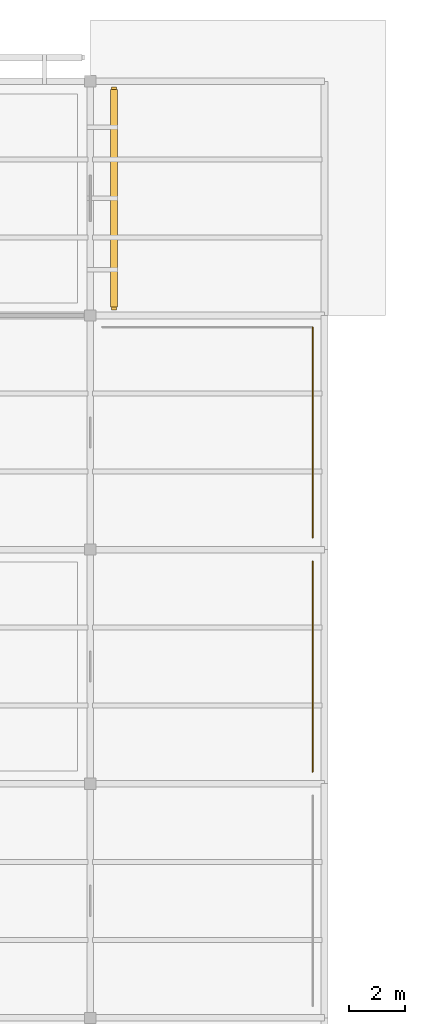
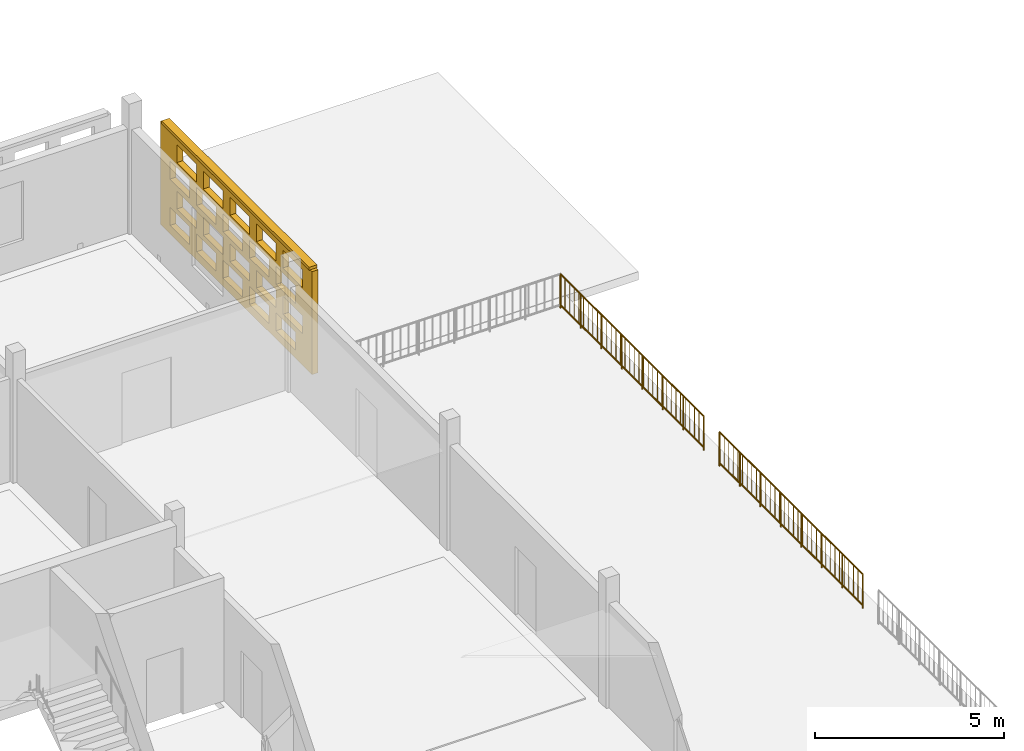
# One storey, part 31 of 31: 2 railings, 1 covering, 1 shading device, 20 openings.
"""IFC4 building model written with IfcOpenShell, lengths in metres."""

from ifc_helpers import new_model, si_unit, direction, frame, frame_2d, origin, origin_2d, place, context, subcontext, project, spatial, rectangle, circle, extrude, material, layer, layer_set, type_object, element, save


model = new_model("IFC4")

# Units and contexts
model_context = context("Model", 3, precision=1e-05, world=origin(), true_north=direction((0.0, 1.0)))
body_context = subcontext(model_context, "Body", "Model", "MODEL_VIEW")
ifc_project = project(units=[si_unit("LENGTHUNIT", "METRE"), si_unit("AREAUNIT", "SQUARE_METRE"), si_unit("VOLUMEUNIT", "CUBIC_METRE"), si_unit("PLANEANGLEUNIT", "RADIAN"), si_unit("MASSUNIT", "GRAM", prefix="KILO")], contexts=[model_context])

# Site, building, storey
site_placement = place(None, origin())
site = spatial("IfcSite", under=ifc_project, at=site_placement, CompositionType="ELEMENT")
building_placement = place(site_placement, origin())
building = spatial("IfcBuilding", under=site, at=building_placement, Name="Varnapada Polytechnic", CompositionType="ELEMENT")
storey_placement = place(building_placement, frame((0.0, 0.0, 22.199951171875)))
storey = spatial("IfcBuildingStorey", under=building, at=storey_placement, Name="L05", CompositionType="ELEMENT", Elevation=22.199951171875)

# Railings
ifc_material_1 = material(Name="Painted galvanized steel", Category="steel")
railing_type = type_object("IfcRailingType", Name="Terrace Guard Rail GRD-01", PredefinedType="BALUSTRADE", material=ifc_material_1)
railing_1_placement = place(storey_placement, frame((33.179931640625, 101.219970703125, 0.0)))
element("IfcRailing", 1, at=railing_1_placement, inside=storey, type_object=railing_type, Name="L05 terrace perimeter guard rail 7", PredefinedType="BALUSTRADE", context=body_context, shape_type="SweptSolid", body=[
    extrude(circle(Radius=0.02392578125, at=origin_2d()), frame((0.0, 0.0, 1.09619140625), z_axis=(0.0, 1.0, 0.0), x_axis=(-1.0, 0.0, 0.0)), (0.0, 0.0, 1.0), 7.56005859375),
    extrude(circle(Radius=0.02392578125, at=origin_2d()), frame((0.0, 0.0, 0.10009765625), z_axis=(0.0, 1.0, 0.0), x_axis=(-1.0, 0.0, 0.0)), (0.0, 0.0, 1.0), 7.56005859375),
    extrude(circle(Radius=0.02099609375, at=origin_2d()), origin(), (0.0, 0.0, 1.0), 1.072021484375),
    extrude(circle(Radius=0.02099609375, at=origin_2d()), frame((0.0, 1.080078125, 0.0)), (0.0, 0.0, 1.0), 1.072021484375),
    extrude(circle(Radius=0.02099609375, at=origin_2d()), frame((0.0, 2.159912109375, 0.0)), (0.0, 0.0, 1.0), 1.072021484375),
    extrude(circle(Radius=0.02099609375, at=origin_2d()), frame((0.0, 3.239990234375, 0.0)), (0.0, 0.0, 1.0), 1.072021484375),
    extrude(circle(Radius=0.02099609375, at=origin_2d()), frame((0.0, 4.320068359375, 0.0)), (0.0, 0.0, 1.0), 1.072021484375),
    extrude(circle(Radius=0.02099609375, at=origin_2d()), frame((0.0, 5.400146484375, 0.0)), (0.0, 0.0, 1.0), 1.072021484375),
    extrude(circle(Radius=0.02099609375, at=origin_2d()), frame((0.0, 6.47998046875, 0.0)), (0.0, 0.0, 1.0), 1.072021484375),
    extrude(circle(Radius=0.02099609375, at=origin_2d()), frame((0.0, 7.56005859375, 0.0)), (0.0, 0.0, 1.0), 1.072021484375),
    extrude(circle(Radius=0.010009765625, at=origin_2d()), frame((0.0, 0.243896484375, 0.10009765625)), (0.0, 0.0, 1.0), 0.971923828125),
    extrude(circle(Radius=0.010009765625, at=origin_2d()), frame((0.0, 0.48779296875, 0.10009765625)), (0.0, 0.0, 1.0), 0.971923828125),
    extrude(circle(Radius=0.010009765625, at=origin_2d()), frame((0.0, 0.731689453125, 0.10009765625)), (0.0, 0.0, 1.0), 0.971923828125),
    extrude(circle(Radius=0.010009765625, at=origin_2d()), frame((0.0, 0.9755859375, 0.10009765625)), (0.0, 0.0, 1.0), 0.971923828125),
    extrude(circle(Radius=0.010009765625, at=origin_2d()), frame((0.0, 1.219482421875, 0.10009765625)), (0.0, 0.0, 1.0), 0.971923828125),
    extrude(circle(Radius=0.010009765625, at=origin_2d()), frame((0.0, 1.463134765625, 0.10009765625)), (0.0, 0.0, 1.0), 0.971923828125),
    extrude(circle(Radius=0.010009765625, at=origin_2d()), frame((0.0, 1.70703125, 0.10009765625)), (0.0, 0.0, 1.0), 0.971923828125),
    extrude(circle(Radius=0.010009765625, at=origin_2d()), frame((0.0, 1.950927734375, 0.10009765625)), (0.0, 0.0, 1.0), 0.971923828125),
    extrude(circle(Radius=0.010009765625, at=origin_2d()), frame((0.0, 2.19482421875, 0.10009765625)), (0.0, 0.0, 1.0), 0.971923828125),
    extrude(circle(Radius=0.010009765625, at=origin_2d()), frame((0.0, 2.438720703125, 0.10009765625)), (0.0, 0.0, 1.0), 0.971923828125),
    extrude(circle(Radius=0.010009765625, at=origin_2d()), frame((0.0, 2.6826171875, 0.10009765625)), (0.0, 0.0, 1.0), 0.971923828125),
    extrude(circle(Radius=0.010009765625, at=origin_2d()), frame((0.0, 2.926513671875, 0.10009765625)), (0.0, 0.0, 1.0), 0.971923828125),
    extrude(circle(Radius=0.010009765625, at=origin_2d()), frame((0.0, 3.17041015625, 0.10009765625)), (0.0, 0.0, 1.0), 0.971923828125),
    extrude(circle(Radius=0.010009765625, at=origin_2d()), frame((0.0, 3.414306640625, 0.10009765625)), (0.0, 0.0, 1.0), 0.971923828125),
    extrude(circle(Radius=0.010009765625, at=origin_2d()), frame((0.0, 3.658203125, 0.10009765625)), (0.0, 0.0, 1.0), 0.971923828125),
    extrude(circle(Radius=0.010009765625, at=origin_2d()), frame((0.0, 3.90185546875, 0.10009765625)), (0.0, 0.0, 1.0), 0.971923828125),
    extrude(circle(Radius=0.010009765625, at=origin_2d()), frame((0.0, 4.145751953125, 0.10009765625)), (0.0, 0.0, 1.0), 0.971923828125),
    extrude(circle(Radius=0.010009765625, at=origin_2d()), frame((0.0, 4.3896484375, 0.10009765625)), (0.0, 0.0, 1.0), 0.971923828125),
    extrude(circle(Radius=0.010009765625, at=origin_2d()), frame((0.0, 4.633544921875, 0.10009765625)), (0.0, 0.0, 1.0), 0.971923828125),
    extrude(circle(Radius=0.010009765625, at=origin_2d()), frame((0.0, 4.87744140625, 0.10009765625)), (0.0, 0.0, 1.0), 0.971923828125),
    extrude(circle(Radius=0.010009765625, at=origin_2d()), frame((0.0, 5.121337890625, 0.10009765625)), (0.0, 0.0, 1.0), 0.971923828125),
    extrude(circle(Radius=0.010009765625, at=origin_2d()), frame((0.0, 5.365234375, 0.10009765625)), (0.0, 0.0, 1.0), 0.971923828125),
    extrude(circle(Radius=0.010009765625, at=origin_2d()), frame((0.0, 5.609130859375, 0.10009765625)), (0.0, 0.0, 1.0), 0.971923828125),
    extrude(circle(Radius=0.010009765625, at=origin_2d()), frame((0.0, 5.85302734375, 0.10009765625)), (0.0, 0.0, 1.0), 0.971923828125),
    extrude(circle(Radius=0.010009765625, at=origin_2d()), frame((0.0, 6.096923828125, 0.10009765625)), (0.0, 0.0, 1.0), 0.971923828125),
    extrude(circle(Radius=0.010009765625, at=origin_2d()), frame((0.0, 6.340576171875, 0.10009765625)), (0.0, 0.0, 1.0), 0.971923828125),
    extrude(circle(Radius=0.010009765625, at=origin_2d()), frame((0.0, 6.58447265625, 0.10009765625)), (0.0, 0.0, 1.0), 0.971923828125),
    extrude(circle(Radius=0.010009765625, at=origin_2d()), frame((0.0, 6.828369140625, 0.10009765625)), (0.0, 0.0, 1.0), 0.971923828125),
    extrude(circle(Radius=0.010009765625, at=origin_2d()), frame((0.0, 7.072265625, 0.10009765625)), (0.0, 0.0, 1.0), 0.971923828125),
    extrude(circle(Radius=0.010009765625, at=origin_2d()), frame((0.0, 7.316162109375, 0.10009765625)), (0.0, 0.0, 1.0), 0.971923828125),
])
railing_2_placement = place(storey_placement, frame((33.179931640625, 109.6201171875, 0.0)))
element("IfcRailing", 2, at=railing_2_placement, inside=storey, type_object=railing_type, Name="L05 terrace perimeter guard rail 9", PredefinedType="BALUSTRADE", context=body_context, shape_type="SweptSolid", body=[
    extrude(circle(Radius=0.02392578125, at=origin_2d()), frame((0.0, 0.0, 1.09619140625), z_axis=(0.0, 1.0, 0.0), x_axis=(-1.0, 0.0, 0.0)), (0.0, 0.0, 1.0), 7.559814453125),
    extrude(circle(Radius=0.02392578125, at=origin_2d()), frame((0.0, 0.0, 0.10009765625), z_axis=(0.0, 1.0, 0.0), x_axis=(-1.0, 0.0, 0.0)), (0.0, 0.0, 1.0), 7.559814453125),
    extrude(circle(Radius=0.02099609375, at=origin_2d()), origin(), (0.0, 0.0, 1.0), 1.072021484375),
    extrude(circle(Radius=0.02099609375, at=origin_2d()), frame((0.0, 1.080078125, 0.0)), (0.0, 0.0, 1.0), 1.072021484375),
    extrude(circle(Radius=0.02099609375, at=origin_2d()), frame((0.0, 2.159912109375, 0.0)), (0.0, 0.0, 1.0), 1.072021484375),
    extrude(circle(Radius=0.02099609375, at=origin_2d()), frame((0.0, 3.239990234375, 0.0)), (0.0, 0.0, 1.0), 1.072021484375),
    extrude(circle(Radius=0.02099609375, at=origin_2d()), frame((0.0, 4.31982421875, 0.0)), (0.0, 0.0, 1.0), 1.072021484375),
    extrude(circle(Radius=0.02099609375, at=origin_2d()), frame((0.0, 5.39990234375, 0.0)), (0.0, 0.0, 1.0), 1.072021484375),
    extrude(circle(Radius=0.02099609375, at=origin_2d()), frame((0.0, 6.479736328125, 0.0)), (0.0, 0.0, 1.0), 1.072021484375),
    extrude(circle(Radius=0.02099609375, at=origin_2d()), frame((0.0, 7.559814453125, 0.0)), (0.0, 0.0, 1.0), 1.072021484375),
    extrude(circle(Radius=0.010009765625, at=origin_2d()), frame((0.0, 0.243896484375, 0.10009765625)), (0.0, 0.0, 1.0), 0.971923828125),
    extrude(circle(Radius=0.010009765625, at=origin_2d()), frame((0.0, 0.48779296875, 0.10009765625)), (0.0, 0.0, 1.0), 0.971923828125),
    extrude(circle(Radius=0.010009765625, at=origin_2d()), frame((0.0, 0.731689453125, 0.10009765625)), (0.0, 0.0, 1.0), 0.971923828125),
    extrude(circle(Radius=0.010009765625, at=origin_2d()), frame((0.0, 0.975341796875, 0.10009765625)), (0.0, 0.0, 1.0), 0.971923828125),
    extrude(circle(Radius=0.010009765625, at=origin_2d()), frame((0.0, 1.21923828125, 0.10009765625)), (0.0, 0.0, 1.0), 0.971923828125),
    extrude(circle(Radius=0.010009765625, at=origin_2d()), frame((0.0, 1.463134765625, 0.10009765625)), (0.0, 0.0, 1.0), 0.971923828125),
    extrude(circle(Radius=0.010009765625, at=origin_2d()), frame((0.0, 1.70703125, 0.10009765625)), (0.0, 0.0, 1.0), 0.971923828125),
    extrude(circle(Radius=0.010009765625, at=origin_2d()), frame((0.0, 1.950927734375, 0.10009765625)), (0.0, 0.0, 1.0), 0.971923828125),
    extrude(circle(Radius=0.010009765625, at=origin_2d()), frame((0.0, 2.19482421875, 0.10009765625)), (0.0, 0.0, 1.0), 0.971923828125),
    extrude(circle(Radius=0.010009765625, at=origin_2d()), frame((0.0, 2.438720703125, 0.10009765625)), (0.0, 0.0, 1.0), 0.971923828125),
    extrude(circle(Radius=0.010009765625, at=origin_2d()), frame((0.0, 2.6826171875, 0.10009765625)), (0.0, 0.0, 1.0), 0.971923828125),
    extrude(circle(Radius=0.010009765625, at=origin_2d()), frame((0.0, 2.92626953125, 0.10009765625)), (0.0, 0.0, 1.0), 0.971923828125),
    extrude(circle(Radius=0.010009765625, at=origin_2d()), frame((0.0, 3.170166015625, 0.10009765625)), (0.0, 0.0, 1.0), 0.971923828125),
    extrude(circle(Radius=0.010009765625, at=origin_2d()), frame((0.0, 3.4140625, 0.10009765625)), (0.0, 0.0, 1.0), 0.971923828125),
    extrude(circle(Radius=0.010009765625, at=origin_2d()), frame((0.0, 3.657958984375, 0.10009765625)), (0.0, 0.0, 1.0), 0.971923828125),
    extrude(circle(Radius=0.010009765625, at=origin_2d()), frame((0.0, 3.90185546875, 0.10009765625)), (0.0, 0.0, 1.0), 0.971923828125),
    extrude(circle(Radius=0.010009765625, at=origin_2d()), frame((0.0, 4.145751953125, 0.10009765625)), (0.0, 0.0, 1.0), 0.971923828125),
    extrude(circle(Radius=0.010009765625, at=origin_2d()), frame((0.0, 4.3896484375, 0.10009765625)), (0.0, 0.0, 1.0), 0.971923828125),
    extrude(circle(Radius=0.010009765625, at=origin_2d()), frame((0.0, 4.633544921875, 0.10009765625)), (0.0, 0.0, 1.0), 0.971923828125),
    extrude(circle(Radius=0.010009765625, at=origin_2d()), frame((0.0, 4.877197265625, 0.10009765625)), (0.0, 0.0, 1.0), 0.971923828125),
    extrude(circle(Radius=0.010009765625, at=origin_2d()), frame((0.0, 5.12109375, 0.10009765625)), (0.0, 0.0, 1.0), 0.971923828125),
    extrude(circle(Radius=0.010009765625, at=origin_2d()), frame((0.0, 5.364990234375, 0.10009765625)), (0.0, 0.0, 1.0), 0.971923828125),
    extrude(circle(Radius=0.010009765625, at=origin_2d()), frame((0.0, 5.60888671875, 0.10009765625)), (0.0, 0.0, 1.0), 0.971923828125),
    extrude(circle(Radius=0.010009765625, at=origin_2d()), frame((0.0, 5.852783203125, 0.10009765625)), (0.0, 0.0, 1.0), 0.971923828125),
    extrude(circle(Radius=0.010009765625, at=origin_2d()), frame((0.0, 6.0966796875, 0.10009765625)), (0.0, 0.0, 1.0), 0.971923828125),
    extrude(circle(Radius=0.010009765625, at=origin_2d()), frame((0.0, 6.340576171875, 0.10009765625)), (0.0, 0.0, 1.0), 0.971923828125),
    extrude(circle(Radius=0.010009765625, at=origin_2d()), frame((0.0, 6.58447265625, 0.10009765625)), (0.0, 0.0, 1.0), 0.971923828125),
    extrude(circle(Radius=0.010009765625, at=origin_2d()), frame((0.0, 6.828125, 0.10009765625)), (0.0, 0.0, 1.0), 0.971923828125),
    extrude(circle(Radius=0.010009765625, at=origin_2d()), frame((0.0, 7.072021484375, 0.10009765625)), (0.0, 0.0, 1.0), 0.971923828125),
    extrude(circle(Radius=0.010009765625, at=origin_2d()), frame((0.0, 7.31591796875, 0.10009765625)), (0.0, 0.0, 1.0), 0.971923828125),
])

# Covering, openings
ifc_material_2 = material(Name="Earth-toned architectural terracotta screen block", Category="masonry")
ifc_layer_1 = layer(ifc_material_2, 0.1201171875)
ifc_layer_set_1 = layer_set([ifc_layer_1], Name="Earth-toned architectural terracotta screen block")
covering_type = type_object("IfcCoveringType", Name="Terracotta Screen Cladding CLD-01", PredefinedType="CLADDING", material=ifc_layer_set_1)
covering_placement = place(storey_placement, frame((26.050048828125, 125.800048828125, 0.0), z_axis=(0.0, 0.0, 1.0), x_axis=(0.0, -1.0, 0.0)))
covering = element("IfcCovering", 3, at=covering_placement, inside=storey, type_object=covering_type, Name="L05 perforated terracotta block screen (24)", PredefinedType="CLADDING", context=body_context, shape_type="SweptSolid", body=[
    extrude(rectangle(XDim=8.0, YDim=0.179931640625, at=frame_2d((4.0, 0.0))), origin(), (0.0, 0.0, 1.0), 3.320068359375),
])
opening_1_placement = place(covering_placement, frame((0.5, 0.0, 0.265625)))
element("IfcOpeningElement", 4, at=opening_1_placement, cuts=covering, Name="Screen perforation TBS-L05-023.1", PredefinedType="OPENING", context=body_context, shape_type="SweptSolid", body=[
    extrude(rectangle(XDim=1.0400390625, YDim=0.5810546875, at=frame_2d((0.52001953125, 0.29052734375))), frame((0.0, 0.099853515625, 0.0), z_axis=(0.0, -1.0, 0.0), x_axis=(1.0, 0.0, 0.0)), (0.0, 0.0, 1.0), 0.199951171875),
])
opening_2_placement = place(covering_placement, frame((1.89990234375, 0.0, 0.265625)))
element("IfcOpeningElement", 5, at=opening_2_placement, cuts=covering, Name="Screen perforation TBS-L05-023.2", PredefinedType="OPENING", context=body_context, shape_type="SweptSolid", body=[
    extrude(rectangle(XDim=1.0400390625, YDim=0.5810546875, at=frame_2d((0.52001953125, 0.29052734375))), frame((0.0, 0.099853515625, 0.0), z_axis=(0.0, -1.0, 0.0), x_axis=(1.0, 0.0, 0.0)), (0.0, 0.0, 1.0), 0.199951171875),
])
opening_3_placement = place(covering_placement, frame((3.300048828125, 0.0, 0.265625)))
element("IfcOpeningElement", 6, at=opening_3_placement, cuts=covering, Name="Screen perforation TBS-L05-023.3", PredefinedType="OPENING", context=body_context, shape_type="SweptSolid", body=[
    extrude(rectangle(XDim=1.0400390625, YDim=0.5810546875, at=frame_2d((0.52001953125, 0.29052734375))), frame((0.0, 0.099853515625, 0.0), z_axis=(0.0, -1.0, 0.0), x_axis=(1.0, 0.0, 0.0)), (0.0, 0.0, 1.0), 0.199951171875),
])
opening_4_placement = place(covering_placement, frame((4.699951171875, 0.0, 0.265625)))
element("IfcOpeningElement", 7, at=opening_4_placement, cuts=covering, Name="Screen perforation TBS-L05-023.4", PredefinedType="OPENING", context=body_context, shape_type="SweptSolid", body=[
    extrude(rectangle(XDim=1.0400390625, YDim=0.5810546875, at=frame_2d((0.52001953125, 0.29052734375))), frame((0.0, 0.099853515625, 0.0), z_axis=(0.0, -1.0, 0.0), x_axis=(1.0, 0.0, 0.0)), (0.0, 0.0, 1.0), 0.199951171875),
])
opening_5_placement = place(covering_placement, frame((6.10009765625, 0.0, 0.265625)))
element("IfcOpeningElement", 8, at=opening_5_placement, cuts=covering, Name="Screen perforation TBS-L05-023.5", PredefinedType="OPENING", context=body_context, shape_type="SweptSolid", body=[
    extrude(rectangle(XDim=1.0400390625, YDim=0.5810546875, at=frame_2d((0.52001953125, 0.29052734375))), frame((0.0, 0.099853515625, 0.0), z_axis=(0.0, -1.0, 0.0), x_axis=(1.0, 0.0, 0.0)), (0.0, 0.0, 1.0), 0.199951171875),
])
opening_6_placement = place(covering_placement, frame((0.860107421875, 0.0, 1.0126953125)))
element("IfcOpeningElement", 9, at=opening_6_placement, cuts=covering, Name="Screen perforation TBS-L05-023.6", PredefinedType="OPENING", context=body_context, shape_type="SweptSolid", body=[
    extrude(rectangle(XDim=1.0400390625, YDim=0.5810546875, at=frame_2d((0.52001953125, 0.29052734375))), frame((0.0, 0.099853515625, 0.0), z_axis=(0.0, -1.0, 0.0), x_axis=(1.0, 0.0, 0.0)), (0.0, 0.0, 1.0), 0.199951171875),
])
opening_7_placement = place(covering_placement, frame((2.260009765625, 0.0, 1.0126953125)))
element("IfcOpeningElement", 10, at=opening_7_placement, cuts=covering, Name="Screen perforation TBS-L05-023.7", PredefinedType="OPENING", context=body_context, shape_type="SweptSolid", body=[
    extrude(rectangle(XDim=1.0400390625, YDim=0.5810546875, at=frame_2d((0.52001953125, 0.29052734375))), frame((0.0, 0.099853515625, 0.0), z_axis=(0.0, -1.0, 0.0), x_axis=(1.0, 0.0, 0.0)), (0.0, 0.0, 1.0), 0.199951171875),
])
opening_8_placement = place(covering_placement, frame((3.659912109375, 0.0, 1.0126953125)))
element("IfcOpeningElement", 11, at=opening_8_placement, cuts=covering, Name="Screen perforation TBS-L05-023.8", PredefinedType="OPENING", context=body_context, shape_type="SweptSolid", body=[
    extrude(rectangle(XDim=1.0400390625, YDim=0.5810546875, at=frame_2d((0.52001953125, 0.29052734375))), frame((0.0, 0.099853515625, 0.0), z_axis=(0.0, -1.0, 0.0), x_axis=(1.0, 0.0, 0.0)), (0.0, 0.0, 1.0), 0.199951171875),
])
opening_9_placement = place(covering_placement, frame((5.06005859375, 0.0, 1.0126953125)))
element("IfcOpeningElement", 12, at=opening_9_placement, cuts=covering, Name="Screen perforation TBS-L05-023.9", PredefinedType="OPENING", context=body_context, shape_type="SweptSolid", body=[
    extrude(rectangle(XDim=1.0400390625, YDim=0.5810546875, at=frame_2d((0.52001953125, 0.29052734375))), frame((0.0, 0.099853515625, 0.0), z_axis=(0.0, -1.0, 0.0), x_axis=(1.0, 0.0, 0.0)), (0.0, 0.0, 1.0), 0.199951171875),
])
opening_10_placement = place(covering_placement, frame((6.4599609375, 0.0, 1.0126953125)))
element("IfcOpeningElement", 13, at=opening_10_placement, cuts=covering, Name="Screen perforation TBS-L05-023.10", PredefinedType="OPENING", context=body_context, shape_type="SweptSolid", body=[
    extrude(rectangle(XDim=1.0400390625, YDim=0.5810546875, at=frame_2d((0.52001953125, 0.29052734375))), frame((0.0, 0.099853515625, 0.0), z_axis=(0.0, -1.0, 0.0), x_axis=(1.0, 0.0, 0.0)), (0.0, 0.0, 1.0), 0.199951171875),
])
opening_11_placement = place(covering_placement, frame((0.5, 0.0, 1.759521484375)))
element("IfcOpeningElement", 14, at=opening_11_placement, cuts=covering, Name="Screen perforation TBS-L05-023.11", PredefinedType="OPENING", context=body_context, shape_type="SweptSolid", body=[
    extrude(rectangle(XDim=1.0400390625, YDim=0.5810546875, at=frame_2d((0.52001953125, 0.29052734375))), frame((0.0, 0.099853515625, 0.0), z_axis=(0.0, -1.0, 0.0), x_axis=(1.0, 0.0, 0.0)), (0.0, 0.0, 1.0), 0.199951171875),
])
opening_12_placement = place(covering_placement, frame((1.89990234375, 0.0, 1.759521484375)))
element("IfcOpeningElement", 15, at=opening_12_placement, cuts=covering, Name="Screen perforation TBS-L05-023.12", PredefinedType="OPENING", context=body_context, shape_type="SweptSolid", body=[
    extrude(rectangle(XDim=1.0400390625, YDim=0.5810546875, at=frame_2d((0.52001953125, 0.29052734375))), frame((0.0, 0.099853515625, 0.0), z_axis=(0.0, -1.0, 0.0), x_axis=(1.0, 0.0, 0.0)), (0.0, 0.0, 1.0), 0.199951171875),
])
opening_13_placement = place(covering_placement, frame((3.300048828125, 0.0, 1.759521484375)))
element("IfcOpeningElement", 16, at=opening_13_placement, cuts=covering, Name="Screen perforation TBS-L05-023.13", PredefinedType="OPENING", context=body_context, shape_type="SweptSolid", body=[
    extrude(rectangle(XDim=1.0400390625, YDim=0.5810546875, at=frame_2d((0.52001953125, 0.29052734375))), frame((0.0, 0.099853515625, 0.0), z_axis=(0.0, -1.0, 0.0), x_axis=(1.0, 0.0, 0.0)), (0.0, 0.0, 1.0), 0.199951171875),
])
opening_14_placement = place(covering_placement, frame((4.699951171875, 0.0, 1.759521484375)))
element("IfcOpeningElement", 17, at=opening_14_placement, cuts=covering, Name="Screen perforation TBS-L05-023.14", PredefinedType="OPENING", context=body_context, shape_type="SweptSolid", body=[
    extrude(rectangle(XDim=1.0400390625, YDim=0.5810546875, at=frame_2d((0.52001953125, 0.29052734375))), frame((0.0, 0.099853515625, 0.0), z_axis=(0.0, -1.0, 0.0), x_axis=(1.0, 0.0, 0.0)), (0.0, 0.0, 1.0), 0.199951171875),
])
opening_15_placement = place(covering_placement, frame((6.10009765625, 0.0, 1.759521484375)))
element("IfcOpeningElement", 18, at=opening_15_placement, cuts=covering, Name="Screen perforation TBS-L05-023.15", PredefinedType="OPENING", context=body_context, shape_type="SweptSolid", body=[
    extrude(rectangle(XDim=1.0400390625, YDim=0.5810546875, at=frame_2d((0.52001953125, 0.29052734375))), frame((0.0, 0.099853515625, 0.0), z_axis=(0.0, -1.0, 0.0), x_axis=(1.0, 0.0, 0.0)), (0.0, 0.0, 1.0), 0.199951171875),
])
opening_16_placement = place(covering_placement, frame((0.860107421875, 0.0, 2.506591796875)))
element("IfcOpeningElement", 19, at=opening_16_placement, cuts=covering, Name="Screen perforation TBS-L05-023.16", PredefinedType="OPENING", context=body_context, shape_type="SweptSolid", body=[
    extrude(rectangle(XDim=1.0400390625, YDim=0.5810546875, at=frame_2d((0.52001953125, 0.29052734375))), frame((0.0, 0.099853515625, 0.0), z_axis=(0.0, -1.0, 0.0), x_axis=(1.0, 0.0, 0.0)), (0.0, 0.0, 1.0), 0.199951171875),
])
opening_17_placement = place(covering_placement, frame((2.260009765625, 0.0, 2.506591796875)))
element("IfcOpeningElement", 20, at=opening_17_placement, cuts=covering, Name="Screen perforation TBS-L05-023.17", PredefinedType="OPENING", context=body_context, shape_type="SweptSolid", body=[
    extrude(rectangle(XDim=1.0400390625, YDim=0.5810546875, at=frame_2d((0.52001953125, 0.29052734375))), frame((0.0, 0.099853515625, 0.0), z_axis=(0.0, -1.0, 0.0), x_axis=(1.0, 0.0, 0.0)), (0.0, 0.0, 1.0), 0.199951171875),
])
opening_18_placement = place(covering_placement, frame((3.659912109375, 0.0, 2.506591796875)))
element("IfcOpeningElement", 21, at=opening_18_placement, cuts=covering, Name="Screen perforation TBS-L05-023.18", PredefinedType="OPENING", context=body_context, shape_type="SweptSolid", body=[
    extrude(rectangle(XDim=1.0400390625, YDim=0.5810546875, at=frame_2d((0.52001953125, 0.29052734375))), frame((0.0, 0.099853515625, 0.0), z_axis=(0.0, -1.0, 0.0), x_axis=(1.0, 0.0, 0.0)), (0.0, 0.0, 1.0), 0.199951171875),
])
opening_19_placement = place(covering_placement, frame((5.06005859375, 0.0, 2.506591796875)))
element("IfcOpeningElement", 22, at=opening_19_placement, cuts=covering, Name="Screen perforation TBS-L05-023.19", PredefinedType="OPENING", context=body_context, shape_type="SweptSolid", body=[
    extrude(rectangle(XDim=1.0400390625, YDim=0.5810546875, at=frame_2d((0.52001953125, 0.29052734375))), frame((0.0, 0.099853515625, 0.0), z_axis=(0.0, -1.0, 0.0), x_axis=(1.0, 0.0, 0.0)), (0.0, 0.0, 1.0), 0.199951171875),
])
opening_20_placement = place(covering_placement, frame((6.4599609375, 0.0, 2.506591796875)))
element("IfcOpeningElement", 23, at=opening_20_placement, cuts=covering, Name="Screen perforation TBS-L05-023.20", PredefinedType="OPENING", context=body_context, shape_type="SweptSolid", body=[
    extrude(rectangle(XDim=1.0400390625, YDim=0.5810546875, at=frame_2d((0.52001953125, 0.29052734375))), frame((0.0, 0.099853515625, 0.0), z_axis=(0.0, -1.0, 0.0), x_axis=(1.0, 0.0, 0.0)), (0.0, 0.0, 1.0), 0.199951171875),
])

# Shading device
ifc_layer_2 = layer(ifc_material_2, 0.179931640625)
ifc_layer_set_2 = layer_set([ifc_layer_2], Name="Earth-toned architectural terracotta screen block")
shading_device_type = type_object("IfcShadingDeviceType", Name="Terracotta Screen SCR-01", PredefinedType="USERDEFINED", material=ifc_layer_set_2)
shading_device_placement = place(storey_placement, frame((26.050048828125, 121.800048828125, 3.31005859375), z_axis=(0.0, 0.0, 1.0), x_axis=(0.0, -1.0, 0.0)))
element("IfcShadingDevice", 24, at=shading_device_placement, inside=storey, type_object=shading_device_type, Name="L05 perforated terracotta screen hood 492", ObjectType="SCREEN", PredefinedType="USERDEFINED", context=body_context, shape_type="SweptSolid", body=[
    extrude(rectangle(XDim=7.800048828125, YDim=0.239990234375, at=origin_2d()), origin(), (0.0, 0.0, 1.0), 0.10009765625),
])

save(model, "model.ifc")
